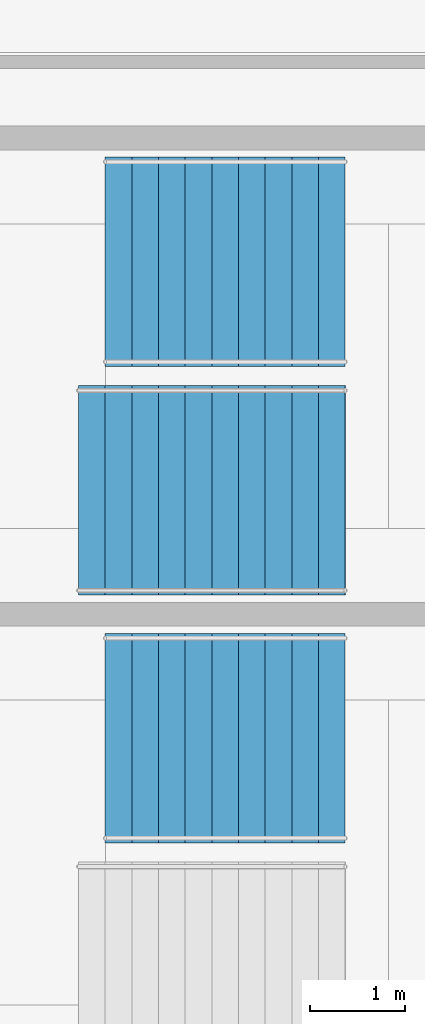
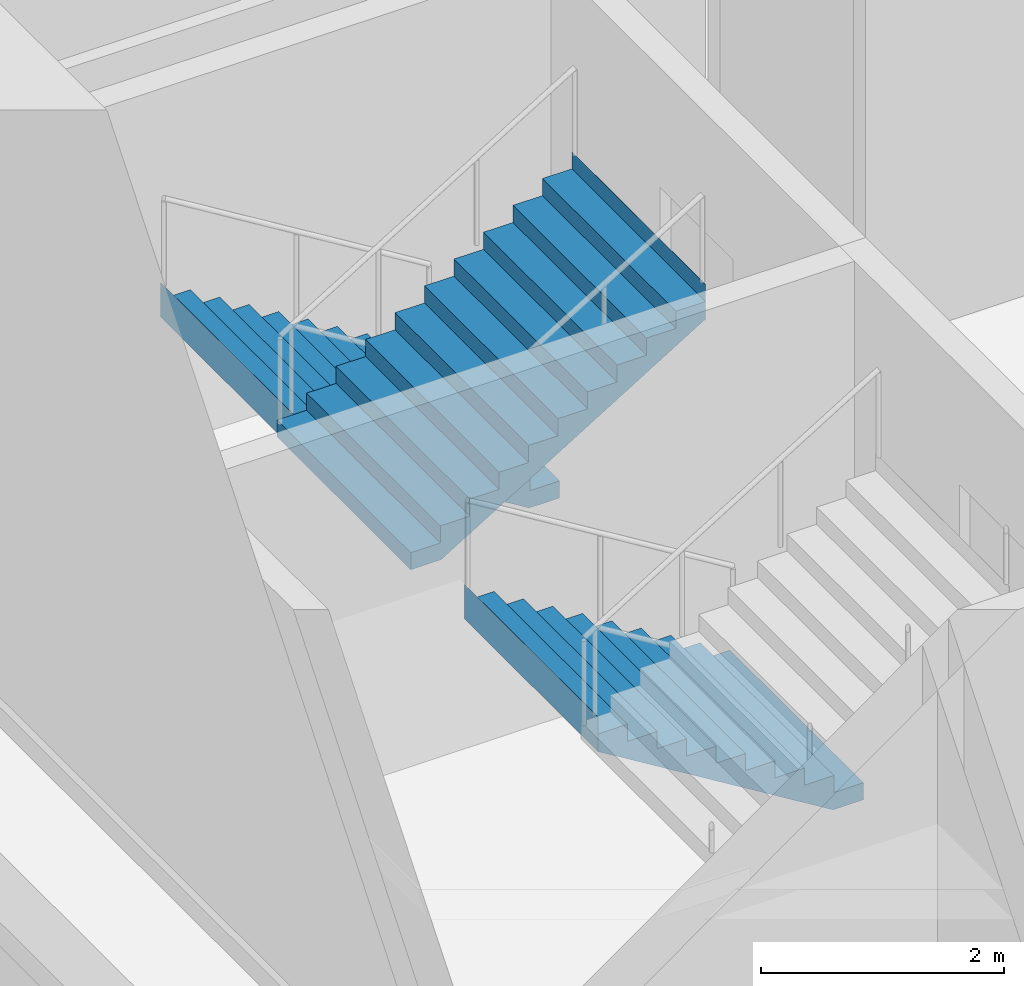
# One storey, part 97 of 148: 3 stair flights, 2 elements without a shape of their own.
"""IFC4 building model written with IfcOpenShell, lengths in metres."""

from ifc_helpers import new_model, si_unit, direction, frame, origin, place, context, subcontext, project, spatial, polyline, outline, extrude, material, type_object, element, aggregate, save


model = new_model("IFC4")

# Units and contexts
model_context = context("Model", 3, precision=1e-05, world=origin(), true_north=direction((0.0, 1.0)))
body_context = subcontext(model_context, "Body", "Model", "MODEL_VIEW")
ifc_project = project(units=[si_unit("LENGTHUNIT", "METRE"), si_unit("AREAUNIT", "SQUARE_METRE"), si_unit("VOLUMEUNIT", "CUBIC_METRE"), si_unit("PLANEANGLEUNIT", "RADIAN"), si_unit("MASSUNIT", "GRAM", prefix="KILO")], contexts=[model_context])

# Site, building, storey
site_placement = place(None, origin())
site = spatial("IfcSite", under=ifc_project, at=site_placement, CompositionType="ELEMENT")
building_placement = place(site_placement, origin())
building = spatial("IfcBuilding", under=site, at=building_placement, Name="Kupolbacken Congress Centre", CompositionType="ELEMENT")
storey_placement = place(building_placement, origin())
storey = spatial("IfcBuildingStorey", under=building, at=storey_placement, Name="L00", CompositionType="ELEMENT", Elevation=0.0)

# Stair, stair flight
ifc_material_1 = material(Name="Concrete C30/37", Category="concrete")
stair_type = type_object("IfcStairType", Name="ST13 stair 2200", PredefinedType="TWO_STRAIGHT_RUN_STAIR", material=ifc_material_1)
stair_1_placement = place(storey_placement, origin())
stair_1 = element("IfcStair", 1, at=stair_1_placement, inside=storey, type_object=stair_type, Name="C/stair/PS1SW/L00", PredefinedType="NOTDEFINED")
ifc_material_2 = material(Name="Concrete C30/37", Category="concrete")
stair_flight_type_1 = type_object("IfcStairFlightType", Name="FL13 stair flight 2200 x 10 risers", PredefinedType="STRAIGHT", material=ifc_material_2)
stair_flight_1_placement = place(storey_placement, frame((12.344970703125, 54.10009765625, 0.0), z_axis=(0.0, 0.0, 1.0), x_axis=(-1.0, 0.0, 0.0)))
stair_flight_1 = element("IfcStairFlight", 2, at=stair_flight_1_placement, type_object=stair_flight_type_1, Name="PS1SW flight 1", NumberOfRisers=10, NumberOfTreads=9, PredefinedType="STRAIGHT", RiserHeight=0.171428571, TreadLength=0.28, context=body_context, shape_type="SweptSolid", body=[
    extrude(outline(polyline([(0.0, 0.0), (0.0, 0.0009765625), (0.0, 0.002197265625), (0.0, 0.003173828125), (0.0, 0.004150390625), (0.0, 0.00537109375), (0.0, 0.00634765625), (0.0, 0.007568359375), (0.0, 0.008544921875), (0.0, 0.009521484375), (0.0, 0.0107421875), (0.0, 0.01171875), (0.0, 0.0126953125), (0.0, 0.013916015625), (0.0, 0.014892578125), (0.0, 0.015869140625), (0.0, 0.01708984375), (0.0, 0.01806640625), (0.0, 0.019287109375), (0.0, 0.020263671875), (0.0, 0.021240234375), (0.0, 0.0224609375), (0.0, 0.0234375), (0.0, 0.0244140625), (0.0, 0.025634765625), (0.0, 0.026611328125), (0.0, 0.027587890625), (0.0, 0.02880859375), (0.0, 0.02978515625), (0.0, 0.03076171875), (0.0, 0.031982421875), (0.0, 0.032958984375), (0.0, 0.0341796875), (0.0, 0.03515625), (0.0, 0.0361328125), (0.0, 0.037353515625), (0.0, 0.038330078125), (0.0, 0.039306640625), (0.0, 0.04052734375), (0.0, 0.04150390625), (0.0, 0.04248046875), (0.0, 0.043701171875), (0.0, 0.044677734375), (0.0, 0.0458984375), (0.0, 0.046875), (0.0, 0.0478515625), (0.0, 0.049072265625), (0.0, 0.050048828125), (0.0, 0.051025390625), (0.0, 0.05224609375), (0.0, 0.05322265625), (0.0, 0.05419921875), (0.0, 0.055419921875), (0.0, 0.056396484375), (0.0, 0.0576171875), (0.0, 0.05859375), (0.0, 0.0595703125), (0.0, 0.060791015625), (0.0, 0.061767578125), (0.0, 0.062744140625), (0.0, 0.06396484375), (0.0, 0.06494140625), (0.0, 0.06591796875), (0.0, 0.067138671875), (0.0, 0.068115234375), (0.0, 0.069091796875), (0.0, 0.0703125), (0.0, 0.0712890625), (0.0, 0.072509765625), (0.0, 0.073486328125), (0.0, 0.074462890625), (0.0, 0.07568359375), (0.0, 0.07666015625), (0.0, 0.07763671875), (0.0, 0.078857421875), (0.0, 0.079833984375), (0.0, 0.080810546875), (0.0, 0.08203125), (0.0, 0.0830078125), (0.0, 0.084228515625), (0.0, 0.085205078125), (0.0, 0.086181640625), (0.0, 0.08740234375), (0.0, 0.08837890625), (0.0, 0.08935546875), (0.0, 0.090576171875), (0.0, 0.091552734375), (0.0, 0.092529296875), (0.0, 0.09375), (0.0, 0.0947265625), (0.0, 0.095947265625), (0.0, 0.096923828125), (0.0, 0.097900390625), (0.0, 0.09912109375), (0.0, 0.10009765625), (0.0, 0.10107421875), (0.0, 0.102294921875), (0.0, 0.103271484375), (0.0, 0.104248046875), (0.0, 0.10546875), (0.0, 0.1064453125), (0.0, 0.107421875), (0.0, 0.108642578125), (0.0, 0.109619140625), (0.0, 0.11083984375), (0.0, 0.11181640625), (0.0, 0.11279296875), (0.0, 0.114013671875), (0.0, 0.114990234375), (0.0, 0.115966796875), (0.0, 0.1171875), (0.0, 0.1181640625), (0.0, 0.119140625), (0.0, 0.120361328125), (0.0, 0.121337890625), (0.0, 0.12255859375), (0.0, 0.12353515625), (0.0, 0.12451171875), (0.0, 0.125732421875), (0.0, 0.126708984375), (0.0, 0.127685546875), (0.0, 0.12890625), (0.0, 0.1298828125), (0.0, 0.130859375), (0.0, 0.132080078125), (0.0, 0.133056640625), (0.0, 0.13427734375), (0.0, 0.13525390625), (0.0, 0.13623046875), (0.0, 0.137451171875), (0.0, 0.138427734375), (0.0, 0.139404296875), (0.0, 0.140625), (0.0, 0.1416015625), (0.0, 0.142578125), (0.0, 0.143798828125), (0.0, 0.144775390625), (0.0, 0.145751953125), (0.0, 0.14697265625), (0.0, 0.14794921875), (0.0, 0.149169921875), (0.0, 0.150146484375), (0.0, 0.151123046875), (0.0, 0.15234375), (0.0, 0.1533203125), (0.0, 0.154296875), (0.0, 0.155517578125), (0.0, 0.156494140625), (0.0, 0.157470703125), (0.0, 0.15869140625), (0.0, 0.15966796875), (0.0, 0.160888671875), (0.0, 0.161865234375), (0.0, 0.162841796875), (0.0, 0.1640625), (0.0, 0.1650390625), (0.0, 0.166015625), (0.0, 0.167236328125), (0.0, 0.168212890625), (0.0, 0.169189453125), (0.0, 0.17041015625), (0.0, 0.17138671875), (0.280029296875, 0.17138671875), (0.280029296875, 0.3427734375), (0.56005859375, 0.3427734375), (0.56005859375, 0.514404296875), (0.840087890625, 0.514404296875), (0.840087890625, 0.685791015625), (1.1201171875, 0.685791015625), (1.1201171875, 0.857177734375), (1.39990234375, 0.857177734375), (1.39990234375, 1.028564453125), (1.679931640625, 1.028564453125), (1.679931640625, 1.199951171875), (1.9599609375, 1.199951171875), (1.9599609375, 1.371337890625), (2.239990234375, 1.371337890625), (2.239990234375, 1.54296875), (2.52001953125, 1.54296875), (2.52001953125, 1.71435546875), (2.52197265625, 1.71435546875), (2.52197265625, 1.712158203125), (2.52197265625, 1.7099609375), (2.52197265625, 1.707763671875), (2.52197265625, 1.70556640625), (2.52197265625, 1.70361328125), (2.52197265625, 1.701416015625), (2.52197265625, 1.69921875), (2.52197265625, 1.697021484375), (2.52197265625, 1.69482421875), (2.52197265625, 1.692626953125), (2.52197265625, 1.690673828125), (2.52197265625, 1.6884765625), (2.52197265625, 1.686279296875), (2.52197265625, 1.68408203125), (2.52197265625, 1.681884765625), (2.52197265625, 1.6796875), (2.52197265625, 1.677734375), (2.52197265625, 1.675537109375), (2.52197265625, 1.67333984375), (2.52197265625, 1.671142578125), (2.52197265625, 1.6689453125), (2.52197265625, 1.666748046875), (2.52197265625, 1.664794921875), (2.52197265625, 1.66259765625), (2.52197265625, 1.660400390625), (2.52197265625, 1.658203125), (2.52197265625, 1.656005859375), (2.52197265625, 1.65380859375), (2.52197265625, 1.65185546875), (2.52197265625, 1.649658203125), (2.52197265625, 1.6474609375), (2.52197265625, 1.645263671875), (2.52197265625, 1.64306640625), (2.52197265625, 1.640869140625), (2.52197265625, 1.638916015625), (2.52197265625, 1.63671875), (2.52197265625, 1.634521484375), (2.52197265625, 1.63232421875), (2.52197265625, 1.630126953125), (2.52197265625, 1.6279296875), (2.52197265625, 1.6259765625), (2.52197265625, 1.623779296875), (2.52197265625, 1.62158203125), (2.52197265625, 1.619384765625), (2.52197265625, 1.6171875), (2.52197265625, 1.614990234375), (2.52197265625, 1.613037109375), (2.52197265625, 1.61083984375), (2.52197265625, 1.608642578125), (2.52197265625, 1.6064453125), (2.52197265625, 1.604248046875), (2.52197265625, 1.60205078125), (2.52197265625, 1.60009765625), (2.52197265625, 1.597900390625), (2.52197265625, 1.595703125), (2.52197265625, 1.593505859375), (2.52197265625, 1.59130859375), (2.52197265625, 1.589111328125), (2.52197265625, 1.587158203125), (2.52197265625, 1.5849609375), (2.52197265625, 1.582763671875), (2.52197265625, 1.58056640625), (2.52197265625, 1.578369140625), (2.52197265625, 1.576171875), (2.52197265625, 1.57421875), (2.52197265625, 1.572021484375), (2.52197265625, 1.56982421875), (2.52197265625, 1.567626953125), (2.52197265625, 1.5654296875), (2.52197265625, 1.563232421875), (2.52197265625, 1.561279296875), (2.52197265625, 1.55908203125), (2.52197265625, 1.556884765625), (2.52197265625, 1.5546875), (2.52197265625, 1.552490234375), (2.52197265625, 1.55029296875), (2.52197265625, 1.54833984375), (2.52197265625, 1.546142578125), (2.52197265625, 1.5439453125), (2.52197265625, 1.541748046875), (2.52197265625, 1.53955078125), (2.52197265625, 1.537353515625), (2.52197265625, 1.535400390625), (2.52197265625, 1.533203125), (2.52197265625, 1.531005859375), (2.52197265625, 1.52880859375), (2.52197265625, 1.526611328125), (2.52197265625, 1.5244140625), (2.52197265625, 1.5224609375), (2.52197265625, 1.520263671875), (2.52197265625, 1.51806640625), (2.52197265625, 1.515869140625), (2.52197265625, 1.513671875), (2.52197265625, 1.511474609375), (2.52197265625, 1.509521484375), (2.52197265625, 1.50732421875), (2.52197265625, 1.505126953125), (2.52197265625, 1.5029296875), (2.52197265625, 1.500732421875), (2.52197265625, 1.49853515625), (2.52197265625, 1.49658203125), (2.52197265625, 1.494384765625), (2.52197265625, 1.4921875), (2.52197265625, 1.489990234375), (2.52197265625, 1.48779296875), (2.52197265625, 1.485595703125), (2.52197265625, 1.483642578125), (2.52197265625, 1.4814453125), (2.52197265625, 1.479248046875), (2.52197265625, 1.47705078125), (2.52197265625, 1.474853515625), (2.52197265625, 1.47265625), (2.52197265625, 1.470703125), (2.52197265625, 1.468505859375), (2.52197265625, 1.46630859375), (2.52197265625, 1.464111328125), (2.52197265625, 1.4619140625), (2.52197265625, 1.459716796875), (2.52197265625, 1.457763671875), (2.52197265625, 1.45556640625), (2.52197265625, 1.453369140625), (2.52197265625, 1.451171875), (2.52197265625, 1.448974609375), (2.52197265625, 1.44677734375), (2.52197265625, 1.44482421875), (2.52197265625, 1.442626953125), (2.52197265625, 1.4404296875), (2.52197265625, 1.438232421875), (2.52197265625, 1.43603515625), (2.52197265625, 1.433837890625), (2.52197265625, 1.431884765625), (2.52197265625, 1.4296875), (2.52197265625, 1.427490234375), (2.52197265625, 1.42529296875), (2.52197265625, 1.423095703125), (2.52197265625, 1.4208984375), (2.52197265625, 1.4189453125), (2.52197265625, 1.416748046875), (2.52197265625, 1.41455078125), (2.52197265625, 1.412353515625), (2.52197265625, 1.41015625), (2.52197265625, 1.407958984375), (2.52197265625, 1.406005859375), (2.52197265625, 1.40380859375), (2.52197265625, 1.401611328125), (2.52197265625, 1.3994140625), (2.52197265625, 1.397216796875), (2.52197265625, 1.39501953125), (2.52197265625, 1.39306640625), (2.52197265625, 1.390869140625), (2.52197265625, 1.388671875), (2.52197265625, 1.386474609375), (2.52197265625, 1.38427734375), (2.52197265625, 1.382080078125), (2.52197265625, 1.380126953125), (2.52197265625, 1.3779296875), (2.52197265625, 1.375732421875), (2.52197265625, 1.37353515625), (2.52197265625, 1.371337890625), (2.52197265625, 1.369140625), (2.52197265625, 1.3671875), (0.2890625, 0.0), (0.0, 0.0)])), frame((0.0, 1.10009765625, 0.0), z_axis=(0.0, -1.0, 0.0), x_axis=(1.0, 0.0, 0.0)), (0.0, 0.0, 1.0), 2.199951171875),
])
aggregate(stair_1, [stair_flight_1])

# Stair, stair flights
stair_2_placement = place(storey_placement, origin())
stair_2 = element("IfcStair", 3, at=stair_2_placement, inside=storey, type_object=stair_type, Name="C/stair/PS2SW/L00", PredefinedType="NOTDEFINED")
stair_flight_2_placement = place(storey_placement, frame((12.344970703125, 59.10009765625, 0.0), z_axis=(0.0, 0.0, 1.0), x_axis=(-1.0, 0.0, 0.0)))
stair_flight_2 = element("IfcStairFlight", 4, at=stair_flight_2_placement, type_object=stair_flight_type_1, Name="PS2SW flight 1", NumberOfRisers=10, NumberOfTreads=9, PredefinedType="STRAIGHT", RiserHeight=0.171428571, TreadLength=0.28, context=body_context, shape_type="SweptSolid", body=[
    extrude(outline(polyline([(0.0, 0.0), (0.0, 0.0009765625), (0.0, 0.002197265625), (0.0, 0.003173828125), (0.0, 0.004150390625), (0.0, 0.00537109375), (0.0, 0.00634765625), (0.0, 0.007568359375), (0.0, 0.008544921875), (0.0, 0.009521484375), (0.0, 0.0107421875), (0.0, 0.01171875), (0.0, 0.0126953125), (0.0, 0.013916015625), (0.0, 0.014892578125), (0.0, 0.015869140625), (0.0, 0.01708984375), (0.0, 0.01806640625), (0.0, 0.019287109375), (0.0, 0.020263671875), (0.0, 0.021240234375), (0.0, 0.0224609375), (0.0, 0.0234375), (0.0, 0.0244140625), (0.0, 0.025634765625), (0.0, 0.026611328125), (0.0, 0.027587890625), (0.0, 0.02880859375), (0.0, 0.02978515625), (0.0, 0.03076171875), (0.0, 0.031982421875), (0.0, 0.032958984375), (0.0, 0.0341796875), (0.0, 0.03515625), (0.0, 0.0361328125), (0.0, 0.037353515625), (0.0, 0.038330078125), (0.0, 0.039306640625), (0.0, 0.04052734375), (0.0, 0.04150390625), (0.0, 0.04248046875), (0.0, 0.043701171875), (0.0, 0.044677734375), (0.0, 0.0458984375), (0.0, 0.046875), (0.0, 0.0478515625), (0.0, 0.049072265625), (0.0, 0.050048828125), (0.0, 0.051025390625), (0.0, 0.05224609375), (0.0, 0.05322265625), (0.0, 0.05419921875), (0.0, 0.055419921875), (0.0, 0.056396484375), (0.0, 0.0576171875), (0.0, 0.05859375), (0.0, 0.0595703125), (0.0, 0.060791015625), (0.0, 0.061767578125), (0.0, 0.062744140625), (0.0, 0.06396484375), (0.0, 0.06494140625), (0.0, 0.06591796875), (0.0, 0.067138671875), (0.0, 0.068115234375), (0.0, 0.069091796875), (0.0, 0.0703125), (0.0, 0.0712890625), (0.0, 0.072509765625), (0.0, 0.073486328125), (0.0, 0.074462890625), (0.0, 0.07568359375), (0.0, 0.07666015625), (0.0, 0.07763671875), (0.0, 0.078857421875), (0.0, 0.079833984375), (0.0, 0.080810546875), (0.0, 0.08203125), (0.0, 0.0830078125), (0.0, 0.084228515625), (0.0, 0.085205078125), (0.0, 0.086181640625), (0.0, 0.08740234375), (0.0, 0.08837890625), (0.0, 0.08935546875), (0.0, 0.090576171875), (0.0, 0.091552734375), (0.0, 0.092529296875), (0.0, 0.09375), (0.0, 0.0947265625), (0.0, 0.095947265625), (0.0, 0.096923828125), (0.0, 0.097900390625), (0.0, 0.09912109375), (0.0, 0.10009765625), (0.0, 0.10107421875), (0.0, 0.102294921875), (0.0, 0.103271484375), (0.0, 0.104248046875), (0.0, 0.10546875), (0.0, 0.1064453125), (0.0, 0.107421875), (0.0, 0.108642578125), (0.0, 0.109619140625), (0.0, 0.11083984375), (0.0, 0.11181640625), (0.0, 0.11279296875), (0.0, 0.114013671875), (0.0, 0.114990234375), (0.0, 0.115966796875), (0.0, 0.1171875), (0.0, 0.1181640625), (0.0, 0.119140625), (0.0, 0.120361328125), (0.0, 0.121337890625), (0.0, 0.12255859375), (0.0, 0.12353515625), (0.0, 0.12451171875), (0.0, 0.125732421875), (0.0, 0.126708984375), (0.0, 0.127685546875), (0.0, 0.12890625), (0.0, 0.1298828125), (0.0, 0.130859375), (0.0, 0.132080078125), (0.0, 0.133056640625), (0.0, 0.13427734375), (0.0, 0.13525390625), (0.0, 0.13623046875), (0.0, 0.137451171875), (0.0, 0.138427734375), (0.0, 0.139404296875), (0.0, 0.140625), (0.0, 0.1416015625), (0.0, 0.142578125), (0.0, 0.143798828125), (0.0, 0.144775390625), (0.0, 0.145751953125), (0.0, 0.14697265625), (0.0, 0.14794921875), (0.0, 0.149169921875), (0.0, 0.150146484375), (0.0, 0.151123046875), (0.0, 0.15234375), (0.0, 0.1533203125), (0.0, 0.154296875), (0.0, 0.155517578125), (0.0, 0.156494140625), (0.0, 0.157470703125), (0.0, 0.15869140625), (0.0, 0.15966796875), (0.0, 0.160888671875), (0.0, 0.161865234375), (0.0, 0.162841796875), (0.0, 0.1640625), (0.0, 0.1650390625), (0.0, 0.166015625), (0.0, 0.167236328125), (0.0, 0.168212890625), (0.0, 0.169189453125), (0.0, 0.17041015625), (0.0, 0.17138671875), (0.280029296875, 0.17138671875), (0.280029296875, 0.3427734375), (0.56005859375, 0.3427734375), (0.56005859375, 0.514404296875), (0.840087890625, 0.514404296875), (0.840087890625, 0.685791015625), (1.1201171875, 0.685791015625), (1.1201171875, 0.857177734375), (1.39990234375, 0.857177734375), (1.39990234375, 1.028564453125), (1.679931640625, 1.028564453125), (1.679931640625, 1.199951171875), (1.9599609375, 1.199951171875), (1.9599609375, 1.371337890625), (2.239990234375, 1.371337890625), (2.239990234375, 1.54296875), (2.52001953125, 1.54296875), (2.52001953125, 1.71435546875), (2.52197265625, 1.71435546875), (2.52197265625, 1.712158203125), (2.52197265625, 1.7099609375), (2.52197265625, 1.707763671875), (2.52197265625, 1.70556640625), (2.52197265625, 1.70361328125), (2.52197265625, 1.701416015625), (2.52197265625, 1.69921875), (2.52197265625, 1.697021484375), (2.52197265625, 1.69482421875), (2.52197265625, 1.692626953125), (2.52197265625, 1.690673828125), (2.52197265625, 1.6884765625), (2.52197265625, 1.686279296875), (2.52197265625, 1.68408203125), (2.52197265625, 1.681884765625), (2.52197265625, 1.6796875), (2.52197265625, 1.677734375), (2.52197265625, 1.675537109375), (2.52197265625, 1.67333984375), (2.52197265625, 1.671142578125), (2.52197265625, 1.6689453125), (2.52197265625, 1.666748046875), (2.52197265625, 1.664794921875), (2.52197265625, 1.66259765625), (2.52197265625, 1.660400390625), (2.52197265625, 1.658203125), (2.52197265625, 1.656005859375), (2.52197265625, 1.65380859375), (2.52197265625, 1.65185546875), (2.52197265625, 1.649658203125), (2.52197265625, 1.6474609375), (2.52197265625, 1.645263671875), (2.52197265625, 1.64306640625), (2.52197265625, 1.640869140625), (2.52197265625, 1.638916015625), (2.52197265625, 1.63671875), (2.52197265625, 1.634521484375), (2.52197265625, 1.63232421875), (2.52197265625, 1.630126953125), (2.52197265625, 1.6279296875), (2.52197265625, 1.6259765625), (2.52197265625, 1.623779296875), (2.52197265625, 1.62158203125), (2.52197265625, 1.619384765625), (2.52197265625, 1.6171875), (2.52197265625, 1.614990234375), (2.52197265625, 1.613037109375), (2.52197265625, 1.61083984375), (2.52197265625, 1.608642578125), (2.52197265625, 1.6064453125), (2.52197265625, 1.604248046875), (2.52197265625, 1.60205078125), (2.52197265625, 1.60009765625), (2.52197265625, 1.597900390625), (2.52197265625, 1.595703125), (2.52197265625, 1.593505859375), (2.52197265625, 1.59130859375), (2.52197265625, 1.589111328125), (2.52197265625, 1.587158203125), (2.52197265625, 1.5849609375), (2.52197265625, 1.582763671875), (2.52197265625, 1.58056640625), (2.52197265625, 1.578369140625), (2.52197265625, 1.576171875), (2.52197265625, 1.57421875), (2.52197265625, 1.572021484375), (2.52197265625, 1.56982421875), (2.52197265625, 1.567626953125), (2.52197265625, 1.5654296875), (2.52197265625, 1.563232421875), (2.52197265625, 1.561279296875), (2.52197265625, 1.55908203125), (2.52197265625, 1.556884765625), (2.52197265625, 1.5546875), (2.52197265625, 1.552490234375), (2.52197265625, 1.55029296875), (2.52197265625, 1.54833984375), (2.52197265625, 1.546142578125), (2.52197265625, 1.5439453125), (2.52197265625, 1.541748046875), (2.52197265625, 1.53955078125), (2.52197265625, 1.537353515625), (2.52197265625, 1.535400390625), (2.52197265625, 1.533203125), (2.52197265625, 1.531005859375), (2.52197265625, 1.52880859375), (2.52197265625, 1.526611328125), (2.52197265625, 1.5244140625), (2.52197265625, 1.5224609375), (2.52197265625, 1.520263671875), (2.52197265625, 1.51806640625), (2.52197265625, 1.515869140625), (2.52197265625, 1.513671875), (2.52197265625, 1.511474609375), (2.52197265625, 1.509521484375), (2.52197265625, 1.50732421875), (2.52197265625, 1.505126953125), (2.52197265625, 1.5029296875), (2.52197265625, 1.500732421875), (2.52197265625, 1.49853515625), (2.52197265625, 1.49658203125), (2.52197265625, 1.494384765625), (2.52197265625, 1.4921875), (2.52197265625, 1.489990234375), (2.52197265625, 1.48779296875), (2.52197265625, 1.485595703125), (2.52197265625, 1.483642578125), (2.52197265625, 1.4814453125), (2.52197265625, 1.479248046875), (2.52197265625, 1.47705078125), (2.52197265625, 1.474853515625), (2.52197265625, 1.47265625), (2.52197265625, 1.470703125), (2.52197265625, 1.468505859375), (2.52197265625, 1.46630859375), (2.52197265625, 1.464111328125), (2.52197265625, 1.4619140625), (2.52197265625, 1.459716796875), (2.52197265625, 1.457763671875), (2.52197265625, 1.45556640625), (2.52197265625, 1.453369140625), (2.52197265625, 1.451171875), (2.52197265625, 1.448974609375), (2.52197265625, 1.44677734375), (2.52197265625, 1.44482421875), (2.52197265625, 1.442626953125), (2.52197265625, 1.4404296875), (2.52197265625, 1.438232421875), (2.52197265625, 1.43603515625), (2.52197265625, 1.433837890625), (2.52197265625, 1.431884765625), (2.52197265625, 1.4296875), (2.52197265625, 1.427490234375), (2.52197265625, 1.42529296875), (2.52197265625, 1.423095703125), (2.52197265625, 1.4208984375), (2.52197265625, 1.4189453125), (2.52197265625, 1.416748046875), (2.52197265625, 1.41455078125), (2.52197265625, 1.412353515625), (2.52197265625, 1.41015625), (2.52197265625, 1.407958984375), (2.52197265625, 1.406005859375), (2.52197265625, 1.40380859375), (2.52197265625, 1.401611328125), (2.52197265625, 1.3994140625), (2.52197265625, 1.397216796875), (2.52197265625, 1.39501953125), (2.52197265625, 1.39306640625), (2.52197265625, 1.390869140625), (2.52197265625, 1.388671875), (2.52197265625, 1.386474609375), (2.52197265625, 1.38427734375), (2.52197265625, 1.382080078125), (2.52197265625, 1.380126953125), (2.52197265625, 1.3779296875), (2.52197265625, 1.375732421875), (2.52197265625, 1.37353515625), (2.52197265625, 1.371337890625), (2.52197265625, 1.369140625), (2.52197265625, 1.3671875), (0.2890625, 0.0), (0.0, 0.0)])), frame((0.0, 1.10009765625, 0.0), z_axis=(0.0, -1.0, 0.0), x_axis=(1.0, 0.0, 0.0)), (0.0, 0.0, 1.0), 2.199951171875),
])
ifc_material_3 = material(Name="Concrete C30/37", Category="concrete")
stair_flight_type_2 = type_object("IfcStairFlightType", Name="FL14 stair flight 2200 x 11 risers", PredefinedType="STRAIGHT", material=ifc_material_3)
stair_flight_3_placement = place(storey_placement, frame((9.544921875, 56.699951171875, 1.71435546875), z_axis=(0.0, 0.0, 1.0), x_axis=(1.0, 0.0, 0.0)))
stair_flight_3 = element("IfcStairFlight", 5, at=stair_flight_3_placement, type_object=stair_flight_type_2, Name="PS2SW flight 2", NumberOfRisers=11, NumberOfTreads=10, PredefinedType="STRAIGHT", RiserHeight=0.171428571, TreadLength=0.28, context=body_context, shape_type="SweptSolid", body=[
    extrude(outline(polyline([(0.0, 0.0), (0.0, 0.0009765625), (0.0, 0.002197265625), (0.0, 0.003173828125), (0.0, 0.004150390625), (0.0, 0.00537109375), (0.0, 0.00634765625), (0.0, 0.007568359375), (0.0, 0.008544921875), (0.0, 0.009521484375), (0.0, 0.0107421875), (0.0, 0.01171875), (0.0, 0.0126953125), (0.0, 0.013916015625), (0.0, 0.014892578125), (0.0, 0.015869140625), (0.0, 0.01708984375), (0.0, 0.01806640625), (0.0, 0.019287109375), (0.0, 0.020263671875), (0.0, 0.021240234375), (0.0, 0.0224609375), (0.0, 0.0234375), (0.0, 0.0244140625), (0.0, 0.025634765625), (0.0, 0.026611328125), (0.0, 0.027587890625), (0.0, 0.02880859375), (0.0, 0.02978515625), (0.0, 0.03076171875), (0.0, 0.031982421875), (0.0, 0.032958984375), (0.0, 0.0341796875), (0.0, 0.03515625), (0.0, 0.0361328125), (0.0, 0.037353515625), (0.0, 0.038330078125), (0.0, 0.039306640625), (0.0, 0.04052734375), (0.0, 0.04150390625), (0.0, 0.04248046875), (0.0, 0.043701171875), (0.0, 0.044677734375), (0.0, 0.0458984375), (0.0, 0.046875), (0.0, 0.0478515625), (0.0, 0.049072265625), (0.0, 0.050048828125), (0.0, 0.051025390625), (0.0, 0.05224609375), (0.0, 0.05322265625), (0.0, 0.05419921875), (0.0, 0.055419921875), (0.0, 0.056396484375), (0.0, 0.0576171875), (0.0, 0.05859375), (0.0, 0.0595703125), (0.0, 0.060791015625), (0.0, 0.061767578125), (0.0, 0.062744140625), (0.0, 0.06396484375), (0.0, 0.06494140625), (0.0, 0.06591796875), (0.0, 0.067138671875), (0.0, 0.068115234375), (0.0, 0.069091796875), (0.0, 0.0703125), (0.0, 0.0712890625), (0.0, 0.072509765625), (0.0, 0.073486328125), (0.0, 0.074462890625), (0.0, 0.07568359375), (0.0, 0.07666015625), (0.0, 0.07763671875), (0.0, 0.078857421875), (0.0, 0.079833984375), (0.0, 0.080810546875), (0.0, 0.08203125), (0.0, 0.0830078125), (0.0, 0.084228515625), (0.0, 0.085205078125), (0.0, 0.086181640625), (0.0, 0.08740234375), (0.0, 0.08837890625), (0.0, 0.08935546875), (0.0, 0.090576171875), (0.0, 0.091552734375), (0.0, 0.092529296875), (0.0, 0.09375), (0.0, 0.0947265625), (0.0, 0.095947265625), (0.0, 0.096923828125), (0.0, 0.097900390625), (0.0, 0.09912109375), (0.0, 0.10009765625), (0.0, 0.10107421875), (0.0, 0.102294921875), (0.0, 0.103271484375), (0.0, 0.104248046875), (0.0, 0.10546875), (0.0, 0.1064453125), (0.0, 0.107421875), (0.0, 0.108642578125), (0.0, 0.109619140625), (0.0, 0.11083984375), (0.0, 0.11181640625), (0.0, 0.11279296875), (0.0, 0.114013671875), (0.0, 0.114990234375), (0.0, 0.115966796875), (0.0, 0.1171875), (0.0, 0.1181640625), (0.0, 0.119140625), (0.0, 0.120361328125), (0.0, 0.121337890625), (0.0, 0.12255859375), (0.0, 0.12353515625), (0.0, 0.12451171875), (0.0, 0.125732421875), (0.0, 0.126708984375), (0.0, 0.127685546875), (0.0, 0.12890625), (0.0, 0.1298828125), (0.0, 0.130859375), (0.0, 0.132080078125), (0.0, 0.133056640625), (0.0, 0.13427734375), (0.0, 0.13525390625), (0.0, 0.13623046875), (0.0, 0.137451171875), (0.0, 0.138427734375), (0.0, 0.139404296875), (0.0, 0.140625), (0.0, 0.1416015625), (0.0, 0.142578125), (0.0, 0.143798828125), (0.0, 0.144775390625), (0.0, 0.145751953125), (0.0, 0.14697265625), (0.0, 0.14794921875), (0.0, 0.149169921875), (0.0, 0.150146484375), (0.0, 0.151123046875), (0.0, 0.15234375), (0.0, 0.1533203125), (0.0, 0.154296875), (0.0, 0.155517578125), (0.0, 0.156494140625), (0.0, 0.157470703125), (0.0, 0.15869140625), (0.0, 0.15966796875), (0.0, 0.160888671875), (0.0, 0.161865234375), (0.0, 0.162841796875), (0.0, 0.1640625), (0.0, 0.1650390625), (0.0, 0.166015625), (0.0, 0.167236328125), (0.0, 0.168212890625), (0.0, 0.169189453125), (0.0, 0.17041015625), (0.0, 0.17138671875), (0.280029296875, 0.17138671875), (0.280029296875, 0.3427734375), (0.56005859375, 0.3427734375), (0.56005859375, 0.514404296875), (0.840087890625, 0.514404296875), (0.840087890625, 0.685791015625), (1.1201171875, 0.685791015625), (1.1201171875, 0.857177734375), (1.39990234375, 0.857177734375), (1.39990234375, 1.028564453125), (1.679931640625, 1.028564453125), (1.679931640625, 1.199951171875), (1.9599609375, 1.199951171875), (1.9599609375, 1.371337890625), (2.239990234375, 1.371337890625), (2.239990234375, 1.54296875), (2.52001953125, 1.54296875), (2.52001953125, 1.71435546875), (2.800048828125, 1.71435546875), (2.800048828125, 1.8857421875), (2.802001953125, 1.8857421875), (2.802001953125, 1.883544921875), (2.802001953125, 1.88134765625), (2.802001953125, 1.879150390625), (2.802001953125, 1.877197265625), (2.802001953125, 1.875), (2.802001953125, 1.872802734375), (2.802001953125, 1.87060546875), (2.802001953125, 1.868408203125), (2.802001953125, 1.8662109375), (2.802001953125, 1.8642578125), (2.802001953125, 1.862060546875), (2.802001953125, 1.85986328125), (2.802001953125, 1.857666015625), (2.802001953125, 1.85546875), (2.802001953125, 1.853271484375), (2.802001953125, 1.851318359375), (2.802001953125, 1.84912109375), (2.802001953125, 1.846923828125), (2.802001953125, 1.8447265625), (2.802001953125, 1.842529296875), (2.802001953125, 1.84033203125), (2.802001953125, 1.83837890625), (2.802001953125, 1.836181640625), (2.802001953125, 1.833984375), (2.802001953125, 1.831787109375), (2.802001953125, 1.82958984375), (2.802001953125, 1.827392578125), (2.802001953125, 1.825439453125), (2.802001953125, 1.8232421875), (2.802001953125, 1.821044921875), (2.802001953125, 1.81884765625), (2.802001953125, 1.816650390625), (2.802001953125, 1.814453125), (2.802001953125, 1.8125), (2.802001953125, 1.810302734375), (2.802001953125, 1.80810546875), (2.802001953125, 1.805908203125), (2.802001953125, 1.8037109375), (2.802001953125, 1.801513671875), (2.802001953125, 1.799560546875), (2.802001953125, 1.79736328125), (2.802001953125, 1.795166015625), (2.802001953125, 1.79296875), (2.802001953125, 1.790771484375), (2.802001953125, 1.78857421875), (2.802001953125, 1.78662109375), (2.802001953125, 1.784423828125), (2.802001953125, 1.7822265625), (2.802001953125, 1.780029296875), (2.802001953125, 1.77783203125), (2.802001953125, 1.775634765625), (2.802001953125, 1.773681640625), (2.802001953125, 1.771484375), (2.802001953125, 1.769287109375), (2.802001953125, 1.76708984375), (2.802001953125, 1.764892578125), (2.802001953125, 1.7626953125), (2.802001953125, 1.7607421875), (2.802001953125, 1.758544921875), (2.802001953125, 1.75634765625), (2.802001953125, 1.754150390625), (2.802001953125, 1.751953125), (2.802001953125, 1.749755859375), (2.802001953125, 1.747802734375), (2.802001953125, 1.74560546875), (2.802001953125, 1.743408203125), (2.802001953125, 1.7412109375), (2.802001953125, 1.739013671875), (2.802001953125, 1.73681640625), (2.802001953125, 1.73486328125), (2.802001953125, 1.732666015625), (2.802001953125, 1.73046875), (2.802001953125, 1.728271484375), (2.802001953125, 1.72607421875), (2.802001953125, 1.723876953125), (2.802001953125, 1.721923828125), (2.802001953125, 1.7197265625), (2.802001953125, 1.717529296875), (2.802001953125, 1.71533203125), (2.802001953125, 1.713134765625), (2.802001953125, 1.7109375), (2.802001953125, 1.708984375), (2.802001953125, 1.706787109375), (2.802001953125, 1.70458984375), (2.802001953125, 1.702392578125), (2.802001953125, 1.7001953125), (2.802001953125, 1.697998046875), (2.802001953125, 1.696044921875), (2.802001953125, 1.69384765625), (2.802001953125, 1.691650390625), (2.802001953125, 1.689453125), (2.802001953125, 1.687255859375), (2.802001953125, 1.68505859375), (2.802001953125, 1.68310546875), (2.802001953125, 1.680908203125), (2.802001953125, 1.6787109375), (2.802001953125, 1.676513671875), (2.802001953125, 1.67431640625), (2.802001953125, 1.672119140625), (2.802001953125, 1.670166015625), (2.802001953125, 1.66796875), (2.802001953125, 1.665771484375), (2.802001953125, 1.66357421875), (2.802001953125, 1.661376953125), (2.802001953125, 1.6591796875), (2.802001953125, 1.6572265625), (2.802001953125, 1.655029296875), (2.802001953125, 1.65283203125), (2.802001953125, 1.650634765625), (2.802001953125, 1.6484375), (2.802001953125, 1.646240234375), (2.802001953125, 1.644287109375), (2.802001953125, 1.64208984375), (2.802001953125, 1.639892578125), (2.802001953125, 1.6376953125), (2.802001953125, 1.635498046875), (2.802001953125, 1.63330078125), (2.802001953125, 1.63134765625), (2.802001953125, 1.629150390625), (2.802001953125, 1.626953125), (2.802001953125, 1.624755859375), (2.802001953125, 1.62255859375), (2.802001953125, 1.620361328125), (2.802001953125, 1.618408203125), (2.802001953125, 1.6162109375), (2.802001953125, 1.614013671875), (2.802001953125, 1.61181640625), (2.802001953125, 1.609619140625), (2.802001953125, 1.607421875), (2.802001953125, 1.60546875), (2.802001953125, 1.603271484375), (2.802001953125, 1.60107421875), (2.802001953125, 1.598876953125), (2.802001953125, 1.5966796875), (2.802001953125, 1.594482421875), (2.802001953125, 1.592529296875), (2.802001953125, 1.59033203125), (2.802001953125, 1.588134765625), (2.802001953125, 1.5859375), (2.802001953125, 1.583740234375), (2.802001953125, 1.58154296875), (2.802001953125, 1.57958984375), (2.802001953125, 1.577392578125), (2.802001953125, 1.5751953125), (2.802001953125, 1.572998046875), (2.802001953125, 1.57080078125), (2.802001953125, 1.568603515625), (2.802001953125, 1.566650390625), (2.802001953125, 1.564453125), (2.802001953125, 1.562255859375), (2.802001953125, 1.56005859375), (2.802001953125, 1.557861328125), (2.802001953125, 1.5556640625), (2.802001953125, 1.5537109375), (2.802001953125, 1.551513671875), (2.802001953125, 1.54931640625), (2.802001953125, 1.547119140625), (2.802001953125, 1.544921875), (2.802001953125, 1.542724609375), (2.802001953125, 1.540771484375), (2.802001953125, 1.53857421875), (0.2890625, 0.0), (0.0, 0.0)])), frame((0.0, 1.10009765625, 0.0), z_axis=(0.0, -1.0, 0.0), x_axis=(1.0, 0.0, 0.0)), (0.0, 0.0, 1.0), 2.199951171875),
])
aggregate(stair_2, [stair_flight_2, stair_flight_3])

save(model, "model.ifc")
